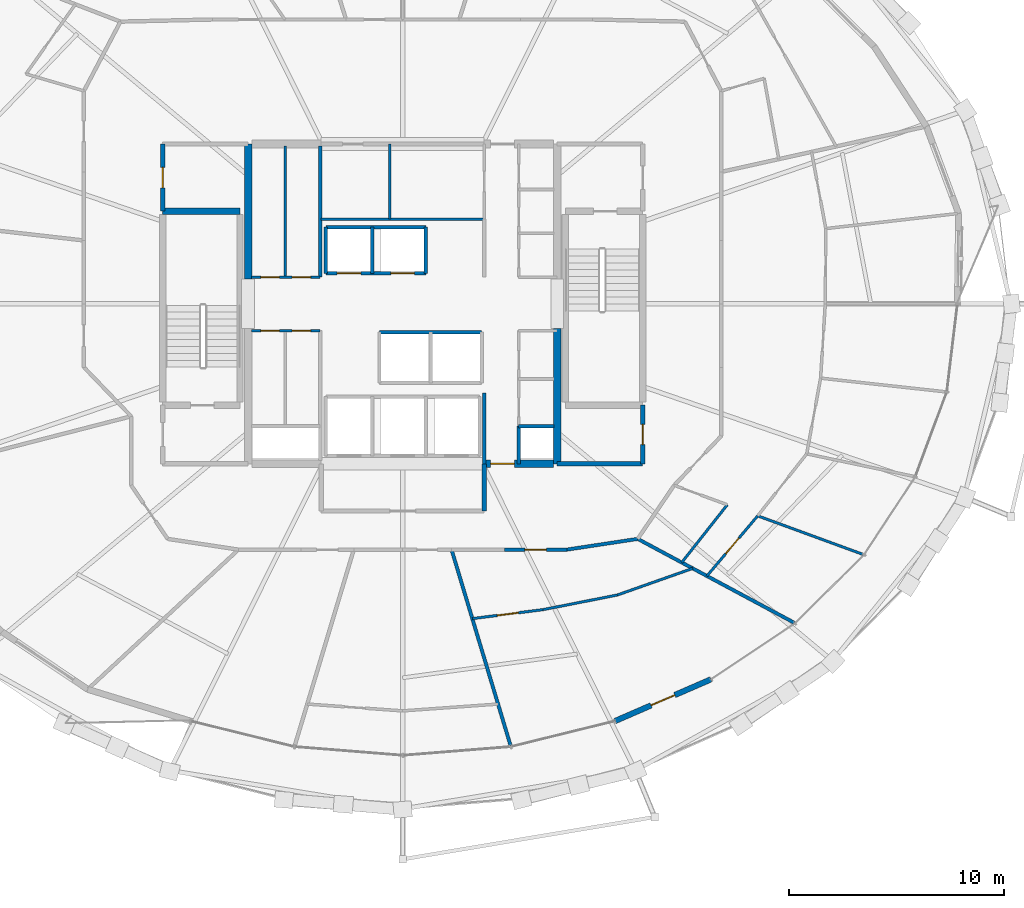
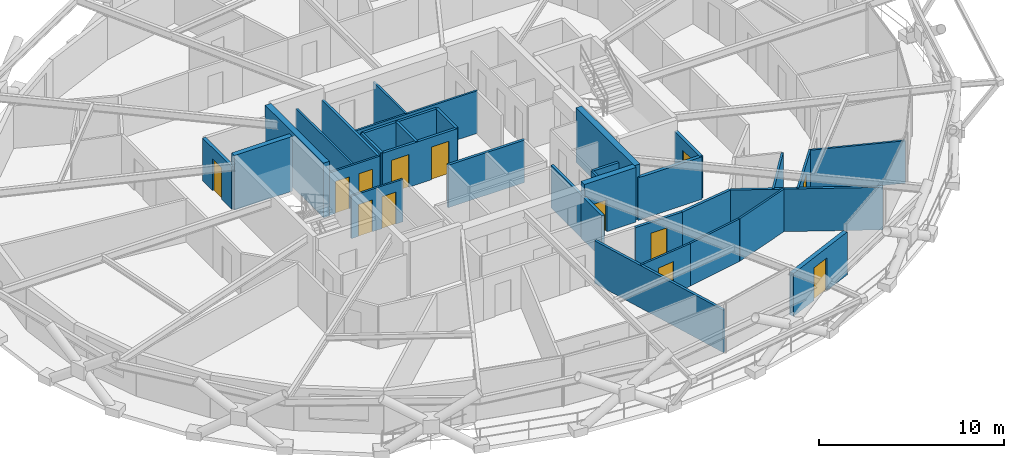
# One storey, part 16 of 22: 34 walls, 13 doors, 13 openings.
"""IFC4 building model written with IfcOpenShell, lengths in metres."""

from ifc_helpers import new_model, si_unit, direction, frame, frame_2d, origin, place, context, subcontext, project, spatial, rectangle, extrude, material, layer, layer_set, type_object, element, fill, save


model = new_model("IFC4")

# Units and contexts
model_context = context("Model", 3, precision=1e-05, world=origin(), true_north=direction((0.0, 1.0)))
body_context = subcontext(model_context, "Body", "Model", "MODEL_VIEW")
ifc_project = project(units=[si_unit("LENGTHUNIT", "METRE"), si_unit("AREAUNIT", "SQUARE_METRE"), si_unit("VOLUMEUNIT", "CUBIC_METRE"), si_unit("PLANEANGLEUNIT", "RADIAN"), si_unit("MASSUNIT", "GRAM", prefix="KILO")], contexts=[model_context])

# Site, building, storey
site_placement = place(None, origin())
site = spatial("IfcSite", under=ifc_project, at=site_placement, CompositionType="ELEMENT")
building_placement = place(site_placement, origin())
building = spatial("IfcBuilding", under=site, at=building_placement, Name="Veldorina Hangang Commons", CompositionType="ELEMENT")
storey_placement = place(building_placement, frame((0.0, 0.0, 146.0)))
storey = spatial("IfcBuildingStorey", under=building, at=storey_placement, Name="L37", CompositionType="ELEMENT", Elevation=146.0)

# Walls
ifc_material_1 = material(Name="Concrete C60/75", Category="concrete")
ifc_layer_1 = layer(ifc_material_1, 0.360107421875)
ifc_layer_set_1 = layer_set([ifc_layer_1], Name="Concrete C60/75")
wall_type_1 = type_object("IfcWallType", Name="CW-RC360-C60", PredefinedType="SHEAR", material=ifc_layer_set_1)
for number, where, z_axis, x_axis, name in (
    (1, (24.800048828125, 25.14990234375, 0.0), (0.0, 0.0, 1.0), (0.0, 1.0, 0.0), "L37 W north core shear wall"),
    (2, (39.199951171875, 16.550048828125, 0.0), (0.0, 0.0, 1.0), (0.0, 1.0, 0.0), "L37 E south core shear wall"),
):
    element("IfcWall", number, at=place(storey_placement, frame(where, z_axis=z_axis, x_axis=x_axis)), inside=storey, type_object=wall_type_1, Name=name, PredefinedType="SHEAR", context=body_context, shape_type="SweptSolid", body=[
        extrude(rectangle(XDim=6.300048828125, YDim=0.360107421875, at=frame_2d((3.14990234375, 0.0))), origin(), (0.0, 0.0, 1.0), 3.60009765625),
    ])

# Wall, opening, door
wall_1_placement = place(storey_placement, frame((35.800048828125, 16.550048828125, 0.0), z_axis=(0.0, 0.0, 1.0), x_axis=(1.0, 0.0, 0.0)))
wall_1 = element("IfcWall", 3, at=wall_1_placement, inside=storey, type_object=wall_type_1, Name="L37 south-east core shear wall", PredefinedType="SHEAR", context=body_context, shape_type="SweptSolid", body=[
    extrude(rectangle(XDim=3.219970703125, YDim=0.360107421875, at=frame_2d((1.60986328125, 0.0))), origin(), (0.0, 0.0, 1.0), 3.60009765625),
])
opening_1_placement = place(wall_1_placement, frame((0.300048828125, 0.0, 0.0)))
opening_1 = element("IfcOpeningElement", 4, at=opening_1_placement, cuts=wall_1, Name="Opening D-08", PredefinedType="OPENING", context=body_context, shape_type="SweptSolid", body=[
    extrude(rectangle(XDim=1.10009765625, YDim=2.10009765625, at=frame_2d((0.550048828125, 1.050048828125))), frame((0.0, 0.18994140625, 0.0), z_axis=(0.0, -1.0, 0.0), x_axis=(1.0, 0.0, 0.0)), (0.0, 0.0, 1.0), 0.380126953125),
])
ifc_material_2 = material(Name="Steel Fire-Rated Smoke Seal", Category="steel")
door_type_1 = type_object("IfcDoorType", Name="DR-FIRE-1100", OperationType="SINGLE_SWING_RIGHT", PredefinedType="DOOR", material=ifc_material_2)
door_1_placement = place(opening_1_placement, origin())
door_1 = element("IfcDoor", 5, at=door_1_placement, inside=storey, type_object=door_type_1, Name="L37 central lift lobby south corridor door", OperationType="SINGLE_SWING_RIGHT", OverallHeight=2.10009765625, OverallWidth=1.10009765625, PredefinedType="DOOR", context=body_context, shape_type="SweptSolid", body=[
    extrude(rectangle(XDim=1.10009765625, YDim=2.10009765625, at=frame_2d((0.550048828125, 1.050048828125))), frame((0.0, 0.02490234375, 0.0), z_axis=(0.0, -1.0, 0.0), x_axis=(1.0, 0.0, 0.0)), (0.0, 0.0, 1.0), 0.050048828125),
])
fill(opening_1, door_1)

ifc_material_3 = material(Name="Stone Roman Travertine", Category="masonry")
ifc_layer_2 = layer(ifc_material_3, 0.260009765625)
ifc_layer_set_2 = layer_set([ifc_layer_2], Name="Stone Roman Travertine")
wall_type_2 = type_object("IfcWallType", Name="EW-LOGGIA-260", PredefinedType="STANDARD", material=ifc_layer_set_2)
wall_2_placement = place(storey_placement, frame((41.892578125, 4.562255859375, 0.0), z_axis=(0.0, 0.0, 1.0), x_axis=(0.916980839608, 0.398931246948, 0.0)))
wall_2 = element("IfcWall", 6, at=wall_2_placement, inside=storey, type_object=wall_type_2, Name="L37 sky-garden loggia portal wall 26", PredefinedType="STANDARD", context=body_context, shape_type="SweptSolid", body=[
    extrude(rectangle(XDim=4.873779296875, YDim=0.260009765625, at=frame_2d((2.43701171875, 0.0))), origin(), (0.0, 0.0, 1.0), 2.820068359375),
])
opening_2_placement = place(wall_2_placement, frame((1.8369140625, 0.0, 0.0)))
opening_2 = element("IfcOpeningElement", 7, at=opening_2_placement, cuts=wall_2, Name="Opening BD-1200", PredefinedType="OPENING", context=body_context, shape_type="SweptSolid", body=[
    extrude(rectangle(XDim=1.199951171875, YDim=2.14990234375, at=frame_2d((0.60009765625, 1.074951171875))), frame((0.0, 0.14013671875, 0.0), z_axis=(0.0, -1.0, 0.0), x_axis=(1.0, 0.0, 0.0)), (0.0, 0.0, 1.0), 0.280029296875),
])
ifc_material_4 = material(Name="Glass Thermal Aluminium Frame", Category="aluminium")
door_type_2 = type_object("IfcDoorType", Name="DR-EXT-LOG1200", OperationType="SINGLE_SWING_LEFT", PredefinedType="DOOR", material=ifc_material_4)
door_2_placement = place(opening_2_placement, origin())
door_2 = element("IfcDoor", 8, at=door_2_placement, inside=storey, type_object=door_type_2, Name="L37 loggia glazed exterior door 26", OperationType="SINGLE_SWING_LEFT", OverallHeight=2.14990234375, OverallWidth=1.199951171875, PredefinedType="DOOR", context=body_context, shape_type="SweptSolid", body=[
    extrude(rectangle(XDim=1.199951171875, YDim=2.14990234375, at=frame_2d((0.60009765625, 1.074951171875))), frame((0.0, 0.02490234375, 0.0), z_axis=(0.0, -1.0, 0.0), x_axis=(1.0, 0.0, 0.0)), (0.0, 0.0, 1.0), 0.050048828125),
])
fill(opening_2, door_2)

# Walls
ifc_material_5 = material(Name="Concrete C50/60", Category="concrete")
ifc_layer_3 = layer(ifc_material_5, 0.300048828125)
ifc_layer_set_3 = layer_set([ifc_layer_3], Name="Concrete C50/60")
wall_type_3 = type_object("IfcWallType", Name="SW-STAIR-300", PredefinedType="SHEAR", material=ifc_layer_set_3)
wall_3_placement = place(storey_placement, frame((20.820068359375, 28.320068359375, 0.0), z_axis=(0.0, 0.0, 1.0), x_axis=(1.0, 0.0, 0.0)))
element("IfcWall", 9, at=wall_3_placement, inside=storey, type_object=wall_type_3, Name="L37 ST1 north stair shear wall", PredefinedType="SHEAR", context=body_context, shape_type="SweptSolid", body=[
    extrude(rectangle(XDim=3.599853515625, YDim=0.300048828125, at=frame_2d((1.7998046875, 0.0))), origin(), (0.0, 0.0, 1.0), 3.60009765625),
])
ifc_material_6 = material(Name="Gypsum Fire-Rated Twin Stud Wall", Category="gypsum")
ifc_layer_4 = layer(ifc_material_6, 0.159912109375)
ifc_layer_set_4 = layer_set([ifc_layer_4], Name="Gypsum Fire-Rated Twin Stud Wall")
wall_type_4 = type_object("IfcWallType", Name="WL-FIRE-160", PredefinedType="SOLIDWALL", material=ifc_layer_set_4)
wall_4_placement = place(storey_placement, frame((35.800048828125, 16.550048828125, 0.0), z_axis=(0.0, 0.0, 1.0), x_axis=(0.0, 1.0, 0.0)))
element("IfcWall", 10, at=wall_4_placement, inside=storey, type_object=wall_type_4, Name="L37 Lift passage SW wall 009", PredefinedType="SOLIDWALL", context=body_context, shape_type="SweptSolid", body=[
    extrude(rectangle(XDim=3.300048828125, YDim=0.159912109375, at=frame_2d((1.64990234375, 0.0))), origin(), (0.0, 0.0, 1.0), 2.800048828125),
])
wall_5_placement = place(storey_placement, frame((37.39990234375, 16.550048828125, 0.0), z_axis=(0.0, 0.0, 1.0), x_axis=(0.0, 1.0, 0.0)))
element("IfcWall", 11, at=wall_5_placement, inside=storey, type_object=wall_type_4, Name="L37 Lift passage SE stub 010", PredefinedType="SOLIDWALL", context=body_context, shape_type="SweptSolid", body=[
    extrude(rectangle(XDim=1.75, YDim=0.159912109375, at=frame_2d((0.875, 0.0))), origin(), (0.0, 0.0, 1.0), 2.800048828125),
])

# Wall, openings, doors
wall_6_placement = place(storey_placement, frame((28.419921875, 25.419921875, 0.0), z_axis=(0.0, 0.0, 1.0), x_axis=(1.0, 0.0, 0.0)))
wall_6 = element("IfcWall", 12, at=wall_6_placement, inside=storey, type_object=wall_type_4, Name="L37 Mid-high front shaft wall 015", PredefinedType="SOLIDWALL", context=body_context, shape_type="SweptSolid", body=[
    extrude(rectangle(XDim=4.66015625, YDim=0.159912109375, at=frame_2d((2.330078125, 0.0))), origin(), (0.0, 0.0, 1.0), 2.800048828125),
])
opening_3_placement = place(wall_6_placement, frame((0.530029296875, 0.0, 0.0)))
opening_3 = element("IfcOpeningElement", 13, at=opening_3_placement, cuts=wall_6, Name="Opening LD-01", PredefinedType="OPENING", context=body_context, shape_type="SweptSolid", body=[
    extrude(rectangle(XDim=1.10009765625, YDim=2.14990234375, at=frame_2d((0.550048828125, 1.074951171875))), frame((0.0, 0.08984375, 0.0), z_axis=(0.0, -1.0, 0.0), x_axis=(1.0, 0.0, 0.0)), (0.0, 0.0, 1.0), 0.179931640625),
])
opening_4_placement = place(wall_6_placement, frame((3.030029296875, 0.0, 0.0)))
opening_4 = element("IfcOpeningElement", 14, at=opening_4_placement, cuts=wall_6, Name="Opening LD-01", PredefinedType="OPENING", context=body_context, shape_type="SweptSolid", body=[
    extrude(rectangle(XDim=1.10009765625, YDim=2.14990234375, at=frame_2d((0.550048828125, 1.074951171875))), frame((0.0, 0.08984375, 0.0), z_axis=(0.0, -1.0, 0.0), x_axis=(1.0, 0.0, 0.0)), (0.0, 0.0, 1.0), 0.179931640625),
])
ifc_material_7 = material(Name="Stainless Steel Brushed Lift Door", Category="steel")
door_type_3 = type_object("IfcDoorType", Name="DR-LIFT-1100", OperationType="SLIDING_TO_LEFT", PredefinedType="DOOR", material=ifc_material_7)
door_3_placement = place(opening_3_placement, origin())
door_3 = element("IfcDoor", 15, at=door_3_placement, inside=storey, type_object=door_type_3, Name="L37 Lift PL-M1 landing door 006", OperationType="SLIDING_TO_RIGHT", OverallHeight=2.14990234375, OverallWidth=1.10009765625, PredefinedType="DOOR", context=body_context, shape_type="SweptSolid", body=[
    extrude(rectangle(XDim=1.10009765625, YDim=2.14990234375, at=frame_2d((0.550048828125, 1.074951171875))), frame((0.0, 0.02490234375, 0.0), z_axis=(0.0, -1.0, 0.0), x_axis=(1.0, 0.0, 0.0)), (0.0, 0.0, 1.0), 0.050048828125),
])
fill(opening_3, door_3)
door_4_placement = place(opening_4_placement, origin())
door_4 = element("IfcDoor", 16, at=door_4_placement, inside=storey, type_object=door_type_3, Name="L37 Lift PL-M2 landing door 007", OperationType="SLIDING_TO_RIGHT", OverallHeight=2.14990234375, OverallWidth=1.10009765625, PredefinedType="DOOR", context=body_context, shape_type="SweptSolid", body=[
    extrude(rectangle(XDim=1.10009765625, YDim=2.14990234375, at=frame_2d((0.550048828125, 1.074951171875))), frame((0.0, 0.02490234375, 0.0), z_axis=(0.0, -1.0, 0.0), x_axis=(1.0, 0.0, 0.0)), (0.0, 0.0, 1.0), 0.050048828125),
])
fill(opening_4, door_4)

# Walls
wall_7_placement = place(storey_placement, frame((28.419921875, 27.580078125, 0.0), z_axis=(0.0, 0.0, 1.0), x_axis=(1.0, 0.0, 0.0)))
element("IfcWall", 17, at=wall_7_placement, inside=storey, type_object=wall_type_4, Name="L37 Mid-high rear shaft wall 016", PredefinedType="SOLIDWALL", context=body_context, shape_type="SweptSolid", body=[
    extrude(rectangle(XDim=4.66015625, YDim=0.159912109375, at=frame_2d((2.330078125, 0.0))), origin(), (0.0, 0.0, 1.0), 2.800048828125),
])
for number, where, z_axis, x_axis, name in (
    (18, (28.419921875, 25.419921875, 0.0), (0.0, 0.0, 1.0), (0.0, 1.0, 0.0), "L37 PL-M1 west shaft wall 017"),
    (19, (30.580078125, 25.419921875, 0.0), (0.0, 0.0, 1.0), (0.0, 1.0, 0.0), "L37 PL-M1 east shaft wall 018"),
    (20, (33.080078125, 25.419921875, 0.0), (0.0, 0.0, 1.0), (0.0, 1.0, 0.0), "L37 PL-M2 east shaft wall 019"),
):
    element("IfcWall", number, at=place(storey_placement, frame(where, z_axis=z_axis, x_axis=x_axis)), inside=storey, type_object=wall_type_4, Name=name, PredefinedType="SOLIDWALL", context=body_context, shape_type="SweptSolid", body=[
        extrude(rectangle(XDim=2.16015625, YDim=0.159912109375, at=frame_2d((1.080078125, 0.0))), origin(), (0.0, 0.0, 1.0), 2.800048828125),
    ])
wall_8_placement = place(storey_placement, frame((30.919921875, 22.679931640625, 0.0), z_axis=(0.0, 0.0, 1.0), x_axis=(1.0, 0.0, 0.0)))
element("IfcWall", 21, at=wall_8_placement, inside=storey, type_object=wall_type_4, Name="L37 Shuttle-high front shaft wall 020", PredefinedType="SOLIDWALL", context=body_context, shape_type="SweptSolid", body=[
    extrude(rectangle(XDim=4.760009765625, YDim=0.159912109375, at=frame_2d((2.3798828125, 0.0))), origin(), (0.0, 0.0, 1.0), 2.800048828125),
])
wall_9_placement = place(storey_placement, frame((37.39990234375, 18.300048828125, 0.0), z_axis=(0.0, 0.0, 1.0), x_axis=(1.0, 0.0, 0.0)))
element("IfcWall", 22, at=wall_9_placement, inside=storey, type_object=wall_type_4, Name="L37 Plumbing riser wall 037", PredefinedType="SOLIDWALL", context=body_context, shape_type="SweptSolid", body=[
    extrude(rectangle(XDim=1.650146484375, YDim=0.159912109375, at=frame_2d((0.8251953125, 0.0))), origin(), (0.0, 0.0, 1.0), 2.800048828125),
])
wall_10_placement = place(storey_placement, frame((28.14990234375, 25.25, 0.0), z_axis=(0.0, 0.0, 1.0), x_axis=(0.0, 1.0, 0.0)))
element("IfcWall", 23, at=wall_10_placement, inside=storey, type_object=wall_type_4, Name="L37 NW core inner wall 038", PredefinedType="SOLIDWALL", context=body_context, shape_type="SweptSolid", body=[
    extrude(rectangle(XDim=6.10009765625, YDim=0.159912109375, at=frame_2d((3.050048828125, 0.0))), origin(), (0.0, 0.0, 1.0), 2.800048828125),
])

# Wall, opening, door
wall_11_placement = place(storey_placement, frame((36.74267578125, 12.550048828125, 0.0), z_axis=(0.0, 0.0, 1.0), x_axis=(1.0, 0.0, 0.0)))
wall_11 = element("IfcWall", 24, at=wall_11_placement, inside=storey, type_object=wall_type_4, Name="L37 U-corridor outer wall 26 076", PredefinedType="SOLIDWALL", context=body_context, shape_type="SweptSolid", body=[
    extrude(rectangle(XDim=2.907958984375, YDim=0.159912109375, at=frame_2d((1.4541015625, 0.0))), origin(), (0.0, 0.0, 1.0), 2.800048828125),
])
opening_5_placement = place(wall_11_placement, frame((0.9541015625, 0.0, 0.0)))
opening_5 = element("IfcOpeningElement", 25, at=opening_5_placement, cuts=wall_11, Name="Opening D-05", PredefinedType="OPENING", context=body_context, shape_type="SweptSolid", body=[
    extrude(rectangle(XDim=1.0, YDim=2.10009765625, at=frame_2d((0.5, 1.050048828125))), frame((0.0, 0.08984375, 0.0), z_axis=(0.0, -1.0, 0.0), x_axis=(1.0, 0.0, 0.0)), (0.0, 0.0, 1.0), 0.179931640625),
])
ifc_material_8 = material(Name="Timber Solid Core Acoustic", Category="wood")
door_type_4 = type_object("IfcDoorType", Name="DR-INT-1000", OperationType="SINGLE_SWING_RIGHT", PredefinedType="DOOR", material=ifc_material_8)
door_5_placement = place(opening_5_placement, origin())
door_5 = element("IfcDoor", 26, at=door_5_placement, inside=storey, type_object=door_type_4, Name="L37 Commons alcove door 022", OperationType="SINGLE_SWING_RIGHT", OverallHeight=2.10009765625, OverallWidth=1.0, PredefinedType="DOOR", context=body_context, shape_type="SweptSolid", body=[
    extrude(rectangle(XDim=1.0, YDim=2.10009765625, at=frame_2d((0.5, 1.050048828125))), frame((0.0, 0.02490234375, 0.0), z_axis=(0.0, -1.0, 0.0), x_axis=(1.0, 0.0, 0.0)), (0.0, 0.0, 1.0), 0.050048828125),
])
fill(opening_5, door_5)

# Walls
wall_12_placement = place(storey_placement, frame((39.650634765625, 12.550048828125, 0.0), z_axis=(0.0, 0.0, 1.0), x_axis=(0.988710906508, 0.149835721217, 0.0)))
element("IfcWall", 27, at=wall_12_placement, inside=storey, type_object=wall_type_4, Name="L37 U-corridor outer wall 27 077", PredefinedType="SOLIDWALL", context=body_context, shape_type="SweptSolid", body=[
    extrude(rectangle(XDim=3.3369140625, YDim=0.159912109375, at=frame_2d((1.66845703125, 0.0))), origin(), (0.0, 0.0, 1.0), 2.800048828125),
])
wall_13_placement = place(storey_placement, frame((34.277587890625, 12.550048828125, 0.0), z_axis=(0.0, 0.0, 1.0), x_axis=(0.28831479655, -0.9575356798, 0.0)))
element("IfcWall", 28, at=wall_13_placement, inside=storey, type_object=wall_type_4, Name="L37 Unit party wall 25 082", PredefinedType="SOLIDWALL", context=body_context, shape_type="SweptSolid", body=[
    extrude(rectangle(XDim=9.54248046875, YDim=0.159912109375, at=frame_2d((4.771240234375, 0.0))), origin(), (0.0, 0.0, 1.0), 2.800048828125),
])
wall_14_placement = place(storey_placement, frame((42.949951171875, 13.050048828125, 0.0), z_axis=(0.0, 0.0, 1.0), x_axis=(0.881439566777, -0.472296824169, 0.0)))
element("IfcWall", 29, at=wall_14_placement, inside=storey, type_object=wall_type_4, Name="L37 Unit party wall 28 086", PredefinedType="SOLIDWALL", context=body_context, shape_type="SweptSolid", body=[
    extrude(rectangle(XDim=8.26513671875, YDim=0.159912109375, at=frame_2d((4.132568359375, 0.0))), origin(), (0.0, 0.0, 1.0), 2.800048828125),
])

# Wall, opening, door
ifc_material_9 = material(Name="Concrete Blockwork Fire Wall C30/37", Category="masonry")
ifc_layer_5 = layer(ifc_material_9, 0.199951171875)
ifc_layer_set_5 = layer_set([ifc_layer_5], Name="Concrete Blockwork Fire Wall C30/37")
wall_type_5 = type_object("IfcWallType", Name="WL-FIRE-200", PredefinedType="SOLIDWALL", material=ifc_layer_set_5)
wall_15_placement = place(storey_placement, frame((20.820068359375, 28.320068359375, 0.0), z_axis=(0.0, 0.0, 1.0), x_axis=(0.0, 1.0, 0.0)))
wall_15 = element("IfcWall", 30, at=wall_15_placement, inside=storey, type_object=wall_type_5, Name="L37 NW core room outer wall 005", PredefinedType="SOLIDWALL", context=body_context, shape_type="SweptSolid", body=[
    extrude(rectangle(XDim=3.1298828125, YDim=0.199951171875, at=frame_2d((1.56494140625, 0.0))), origin(), (0.0, 0.0, 1.0), 2.800048828125),
])
opening_6_placement = place(wall_15_placement, frame((1.090087890625, 0.0, 0.0)))
opening_6 = element("IfcOpeningElement", 31, at=opening_6_placement, cuts=wall_15, Name="Opening D-04", PredefinedType="OPENING", context=body_context, shape_type="SweptSolid", body=[
    extrude(rectangle(XDim=0.949951171875, YDim=2.10009765625, at=frame_2d((0.47509765625, 1.050048828125))), frame((0.0, 0.10986328125, 0.0), z_axis=(0.0, -1.0, 0.0), x_axis=(1.0, 0.0, 0.0)), (0.0, 0.0, 1.0), 0.219970703125),
])
ifc_material_10 = material(Name="Timber Accessible Flush Leaf", Category="wood")
door_type_5 = type_object("IfcDoorType", Name="DR-ACC-950", OperationType="SINGLE_SWING_LEFT", PredefinedType="DOOR", material=ifc_material_10)
door_6_placement = place(opening_6_placement, origin())
door_6 = element("IfcDoor", 32, at=door_6_placement, inside=storey, type_object=door_type_5, Name="L37 NW core WC door 003", OperationType="SINGLE_SWING_LEFT", OverallHeight=2.10009765625, OverallWidth=0.949951171875, PredefinedType="DOOR", context=body_context, shape_type="SweptSolid", body=[
    extrude(rectangle(XDim=0.949951171875, YDim=2.10009765625, at=frame_2d((0.47509765625, 1.050048828125))), frame((0.0, 0.02490234375, 0.0), z_axis=(0.0, -1.0, 0.0), x_axis=(1.0, 0.0, 0.0)), (0.0, 0.0, 1.0), 0.050048828125),
])
fill(opening_6, door_6)

wall_16_placement = place(storey_placement, frame((43.179931640625, 16.550048828125, 0.0), z_axis=(0.0, 0.0, 1.0), x_axis=(0.0, 1.0, 0.0)))
wall_16 = element("IfcWall", 33, at=wall_16_placement, inside=storey, type_object=wall_type_5, Name="L37 SE core room outer wall 007", PredefinedType="SOLIDWALL", context=body_context, shape_type="SweptSolid", body=[
    extrude(rectangle(XDim=2.72998046875, YDim=0.199951171875, at=frame_2d((1.364990234375, 0.0))), origin(), (0.0, 0.0, 1.0), 2.800048828125),
])
opening_7_placement = place(wall_16_placement, frame((0.889892578125, 0.0, 0.0)))
opening_7 = element("IfcOpeningElement", 34, at=opening_7_placement, cuts=wall_16, Name="Opening D-02", PredefinedType="OPENING", context=body_context, shape_type="SweptSolid", body=[
    extrude(rectangle(XDim=0.949951171875, YDim=2.10009765625, at=frame_2d((0.47509765625, 1.050048828125))), frame((0.0, 0.10986328125, 0.0), z_axis=(0.0, -1.0, 0.0), x_axis=(1.0, 0.0, 0.0)), (0.0, 0.0, 1.0), 0.219970703125),
])
door_type_6 = type_object("IfcDoorType", Name="DR-INT-950", OperationType="SINGLE_SWING_LEFT", PredefinedType="DOOR", material=ifc_material_8)
door_7_placement = place(opening_7_placement, origin())
door_7 = element("IfcDoor", 35, at=door_7_placement, inside=storey, type_object=door_type_6, Name="L37 SE core WC door 004", OperationType="SINGLE_SWING_RIGHT", OverallHeight=2.10009765625, OverallWidth=0.949951171875, PredefinedType="DOOR", context=body_context, shape_type="SweptSolid", body=[
    extrude(rectangle(XDim=0.949951171875, YDim=2.10009765625, at=frame_2d((0.47509765625, 1.050048828125))), frame((0.0, 0.02490234375, 0.0), z_axis=(0.0, -1.0, 0.0), x_axis=(1.0, 0.0, 0.0)), (0.0, 0.0, 1.0), 0.050048828125),
])
fill(opening_7, door_7)

# Walls
wall_17_placement = place(storey_placement, frame((39.199951171875, 16.550048828125, 0.0), z_axis=(0.0, 0.0, 1.0), x_axis=(1.0, 0.0, 0.0)))
element("IfcWall", 36, at=wall_17_placement, inside=storey, type_object=wall_type_5, Name="L37 SE core room south wall 008", PredefinedType="SOLIDWALL", context=body_context, shape_type="SweptSolid", body=[
    extrude(rectangle(XDim=3.97998046875, YDim=0.199951171875, at=frame_2d((1.989990234375, 0.0))), origin(), (0.0, 0.0, 1.0), 2.800048828125),
])
wall_18_placement = place(storey_placement, frame((35.800048828125, 14.35009765625, 0.0), z_axis=(0.0, 0.0, 1.0), x_axis=(0.0, 1.0, 0.0)))
element("IfcWall", 37, at=wall_18_placement, inside=storey, type_object=wall_type_5, Name="L37 FF lobby east wall 013", PredefinedType="SOLIDWALL", context=body_context, shape_type="SweptSolid", body=[
    extrude(rectangle(XDim=2.199951171875, YDim=0.199951171875, at=frame_2d((1.10009765625, 0.0))), origin(), (0.0, 0.0, 1.0), 2.800048828125),
])
ifc_material_11 = material(Name="Gypsum Acoustic Stud Partition", Category="gypsum")
ifc_layer_6 = layer(ifc_material_11, 0.1201171875)
ifc_layer_set_6 = layer_set([ifc_layer_6], Name="Gypsum Acoustic Stud Partition")
wall_type_6 = type_object("IfcWallType", Name="WL-PART-120", PredefinedType="PARTITIONING", material=ifc_layer_set_6)
wall_19_placement = place(storey_placement, frame((28.199951171875, 27.949951171875, 0.0), z_axis=(0.0, 0.0, 1.0), x_axis=(1.0, 0.0, 0.0)))
element("IfcWall", 38, at=wall_19_placement, inside=storey, type_object=wall_type_6, Name="L37 Merged north south wall 032", PredefinedType="PARTITIONING", context=body_context, shape_type="SweptSolid", body=[
    extrude(rectangle(XDim=7.60009765625, YDim=0.1201171875, at=frame_2d((3.800048828125, 0.0))), origin(), (0.0, 0.0, 1.0), 2.800048828125),
])
wall_20_placement = place(storey_placement, frame((31.39990234375, 27.949951171875, 0.0), z_axis=(0.0, 0.0, 1.0), x_axis=(0.0, 1.0, 0.0)))
element("IfcWall", 39, at=wall_20_placement, inside=storey, type_object=wall_type_6, Name="L37 Merged north split wall 034", PredefinedType="PARTITIONING", context=body_context, shape_type="SweptSolid", body=[
    extrude(rectangle(XDim=3.5, YDim=0.1201171875, at=frame_2d((1.75, 0.0))), origin(), (0.0, 0.0, 1.0), 2.800048828125),
])

# Wall, openings, doors
wall_21_placement = place(storey_placement, frame((24.949951171875, 25.25, 0.0), z_axis=(0.0, 0.0, 1.0), x_axis=(1.0, 0.0, 0.0)))
wall_21 = element("IfcWall", 40, at=wall_21_placement, inside=storey, type_object=wall_type_6, Name="L37 NW service south wall 039", PredefinedType="PARTITIONING", context=body_context, shape_type="SweptSolid", body=[
    extrude(rectangle(XDim=3.199951171875, YDim=0.1201171875, at=frame_2d((1.60009765625, 0.0))), origin(), (0.0, 0.0, 1.0), 2.800048828125),
])
opening_8_placement = place(wall_21_placement, frame((0.43994140625, 0.0, 0.0)))
opening_8 = element("IfcOpeningElement", 41, at=opening_8_placement, cuts=wall_21, Name="Opening D-01", PredefinedType="OPENING", context=body_context, shape_type="SweptSolid", body=[
    extrude(rectangle(XDim=0.860107421875, YDim=2.10009765625, at=frame_2d((0.43017578125, 1.050048828125))), frame((0.0, 0.070068359375, 0.0), z_axis=(0.0, -1.0, 0.0), x_axis=(1.0, 0.0, 0.0)), (0.0, 0.0, 1.0), 0.14013671875),
])
opening_9_placement = place(wall_21_placement, frame((1.89990234375, 0.0, 0.0)))
opening_9 = element("IfcOpeningElement", 42, at=opening_9_placement, cuts=wall_21, Name="Opening D-01", PredefinedType="OPENING", context=body_context, shape_type="SweptSolid", body=[
    extrude(rectangle(XDim=0.860107421875, YDim=2.10009765625, at=frame_2d((0.43017578125, 1.050048828125))), frame((0.0, 0.070068359375, 0.0), z_axis=(0.0, -1.0, 0.0), x_axis=(1.0, 0.0, 0.0)), (0.0, 0.0, 1.0), 0.14013671875),
])
ifc_material_12 = material(Name="Timber Moisture-Resistant Core", Category="wood")
door_type_7 = type_object("IfcDoorType", Name="DR-WET-860", OperationType="SINGLE_SWING_LEFT", PredefinedType="DOOR", material=ifc_material_12)
door_8_placement = place(opening_8_placement, origin())
door_8 = element("IfcDoor", 43, at=door_8_placement, inside=storey, type_object=door_type_7, Name="L37 Linen west door 013", OperationType="SINGLE_SWING_LEFT", OverallHeight=2.10009765625, OverallWidth=0.860107421875, PredefinedType="DOOR", context=body_context, shape_type="SweptSolid", body=[
    extrude(rectangle(XDim=0.860107421875, YDim=2.10009765625, at=frame_2d((0.43017578125, 1.050048828125))), frame((0.0, 0.02490234375, 0.0), z_axis=(0.0, -1.0, 0.0), x_axis=(1.0, 0.0, 0.0)), (0.0, 0.0, 1.0), 0.050048828125),
])
fill(opening_8, door_8)
door_9_placement = place(opening_9_placement, origin())
door_9 = element("IfcDoor", 44, at=door_9_placement, inside=storey, type_object=door_type_7, Name="L37 Data closet door 014", OperationType="SINGLE_SWING_RIGHT", OverallHeight=2.10009765625, OverallWidth=0.860107421875, PredefinedType="DOOR", context=body_context, shape_type="SweptSolid", body=[
    extrude(rectangle(XDim=0.860107421875, YDim=2.10009765625, at=frame_2d((0.43017578125, 1.050048828125))), frame((0.0, 0.02490234375, 0.0), z_axis=(0.0, -1.0, 0.0), x_axis=(1.0, 0.0, 0.0)), (0.0, 0.0, 1.0), 0.050048828125),
])
fill(opening_9, door_9)

wall_22_placement = place(storey_placement, frame((24.949951171875, 22.75, 0.0), z_axis=(0.0, 0.0, 1.0), x_axis=(1.0, 0.0, 0.0)))
wall_22 = element("IfcWall", 45, at=wall_22_placement, inside=storey, type_object=wall_type_6, Name="L37 SW service north wall 040", PredefinedType="PARTITIONING", context=body_context, shape_type="SweptSolid", body=[
    extrude(rectangle(XDim=3.199951171875, YDim=0.1201171875, at=frame_2d((1.60009765625, 0.0))), origin(), (0.0, 0.0, 1.0), 2.800048828125),
])
opening_10_placement = place(wall_22_placement, frame((0.43994140625, 0.0, 0.0)))
opening_10 = element("IfcOpeningElement", 46, at=opening_10_placement, cuts=wall_22, Name="Opening D-01", PredefinedType="OPENING", context=body_context, shape_type="SweptSolid", body=[
    extrude(rectangle(XDim=0.860107421875, YDim=2.10009765625, at=frame_2d((0.43017578125, 1.050048828125))), frame((0.0, 0.070068359375, 0.0), z_axis=(0.0, -1.0, 0.0), x_axis=(1.0, 0.0, 0.0)), (0.0, 0.0, 1.0), 0.14013671875),
])
opening_11_placement = place(wall_22_placement, frame((1.89990234375, 0.0, 0.0)))
opening_11 = element("IfcOpeningElement", 47, at=opening_11_placement, cuts=wall_22, Name="Opening D-01", PredefinedType="OPENING", context=body_context, shape_type="SweptSolid", body=[
    extrude(rectangle(XDim=0.860107421875, YDim=2.10009765625, at=frame_2d((0.43017578125, 1.050048828125))), frame((0.0, 0.070068359375, 0.0), z_axis=(0.0, -1.0, 0.0), x_axis=(1.0, 0.0, 0.0)), (0.0, 0.0, 1.0), 0.14013671875),
])
door_10_placement = place(opening_10_placement, origin())
door_10 = element("IfcDoor", 48, at=door_10_placement, inside=storey, type_object=door_type_7, Name="L37 Cleaners door 015", OperationType="SINGLE_SWING_LEFT", OverallHeight=2.10009765625, OverallWidth=0.860107421875, PredefinedType="DOOR", context=body_context, shape_type="SweptSolid", body=[
    extrude(rectangle(XDim=0.860107421875, YDim=2.10009765625, at=frame_2d((0.43017578125, 1.050048828125))), frame((0.0, 0.02490234375, 0.0), z_axis=(0.0, -1.0, 0.0), x_axis=(1.0, 0.0, 0.0)), (0.0, 0.0, 1.0), 0.050048828125),
])
fill(opening_10, door_10)
door_11_placement = place(opening_11_placement, origin())
door_11 = element("IfcDoor", 49, at=door_11_placement, inside=storey, type_object=door_type_7, Name="L37 Metering door 016", OperationType="SINGLE_SWING_RIGHT", OverallHeight=2.10009765625, OverallWidth=0.860107421875, PredefinedType="DOOR", context=body_context, shape_type="SweptSolid", body=[
    extrude(rectangle(XDim=0.860107421875, YDim=2.10009765625, at=frame_2d((0.43017578125, 1.050048828125))), frame((0.0, 0.02490234375, 0.0), z_axis=(0.0, -1.0, 0.0), x_axis=(1.0, 0.0, 0.0)), (0.0, 0.0, 1.0), 0.050048828125),
])
fill(opening_11, door_11)

# Wall
wall_23_placement = place(storey_placement, frame((26.530029296875, 25.25, 0.0), z_axis=(0.0, 0.0, 1.0), x_axis=(0.0, 1.0, 0.0)))
element("IfcWall", 50, at=wall_23_placement, inside=storey, type_object=wall_type_6, Name="L37 NW vertical split 045", PredefinedType="PARTITIONING", context=body_context, shape_type="SweptSolid", body=[
    extrude(rectangle(XDim=6.10009765625, YDim=0.1201171875, at=frame_2d((3.050048828125, 0.0))), origin(), (0.0, 0.0, 1.0), 2.800048828125),
])

# Wall, opening, door
wall_24_placement = place(storey_placement, frame((35.24560546875, 9.335205078125, 0.0), z_axis=(0.0, 0.0, 1.0), x_axis=(0.992026301768, 0.126031014438, 0.0)))
wall_24 = element("IfcWall", 51, at=wall_24_placement, inside=storey, type_object=wall_type_6, Name="L37 Lounge alcove split 0 083", PredefinedType="PARTITIONING", context=body_context, shape_type="SweptSolid", body=[
    extrude(rectangle(XDim=3.326171875, YDim=0.1201171875, at=frame_2d((1.6630859375, 0.0))), origin(), (0.0, 0.0, 1.0), 2.800048828125),
])
opening_12_placement = place(wall_24_placement, frame((1.1630859375, 0.0, 0.0)))
opening_12 = element("IfcOpeningElement", 52, at=opening_12_placement, cuts=wall_24, Name="Opening D-05", PredefinedType="OPENING", context=body_context, shape_type="SweptSolid", body=[
    extrude(rectangle(XDim=1.0, YDim=2.10009765625, at=frame_2d((0.5, 1.050048828125))), frame((0.0, 0.070068359375, 0.0), z_axis=(0.0, -1.0, 0.0), x_axis=(1.0, 0.0, 0.0)), (0.0, 0.0, 1.0), 0.14013671875),
])
door_12_placement = place(opening_12_placement, origin())
door_12 = element("IfcDoor", 53, at=door_12_placement, inside=storey, type_object=door_type_4, Name="L37 Commons lounge door 023", OperationType="SINGLE_SWING_LEFT", OverallHeight=2.10009765625, OverallWidth=1.0, PredefinedType="DOOR", context=body_context, shape_type="SweptSolid", body=[
    extrude(rectangle(XDim=1.0, YDim=2.10009765625, at=frame_2d((0.5, 1.050048828125))), frame((0.0, 0.02490234375, 0.0), z_axis=(0.0, -1.0, 0.0), x_axis=(1.0, 0.0, 0.0)), (0.0, 0.0, 1.0), 0.050048828125),
])
fill(opening_12, door_12)

# Walls
wall_25_placement = place(storey_placement, frame((38.545166015625, 9.75439453125, 0.0), z_axis=(0.0, 0.0, 1.0), x_axis=(0.981147276933, 0.193261535148, 0.0)))
element("IfcWall", 54, at=wall_25_placement, inside=storey, type_object=wall_type_6, Name="L37 Lounge alcove split 1 084", PredefinedType="PARTITIONING", context=body_context, shape_type="SweptSolid", body=[
    extrude(rectangle(XDim=3.520751953125, YDim=0.1201171875, at=frame_2d((1.76025390625, 0.0))), origin(), (0.0, 0.0, 1.0), 2.800048828125),
])
wall_26_placement = place(storey_placement, frame((41.99951171875, 10.434814453125, 0.0), z_axis=(0.0, 0.0, 1.0), x_axis=(0.942997587187, 0.332799565145, 0.0)))
element("IfcWall", 55, at=wall_26_placement, inside=storey, type_object=wall_type_6, Name="L37 Lounge alcove split 2 085", PredefinedType="PARTITIONING", context=body_context, shape_type="SweptSolid", body=[
    extrude(rectangle(XDim=3.72802734375, YDim=0.1201171875, at=frame_2d((1.864013671875, 0.0))), origin(), (0.0, 0.0, 1.0), 2.800048828125),
])
wall_27_placement = place(storey_placement, frame((45.002197265625, 11.950439453125, 0.0), z_axis=(0.0, 0.0, 1.0), x_axis=(0.619575015098, 0.784937450162, 0.0)))
element("IfcWall", 56, at=wall_27_placement, inside=storey, type_object=wall_type_6, Name="L37 Cluster 2 bath front wall 087", PredefinedType="PARTITIONING", context=body_context, shape_type="SweptSolid", body=[
    extrude(rectangle(XDim=3.42822265625, YDim=0.1201171875, at=frame_2d((1.714111328125, 0.0))), origin(), (0.0, 0.0, 1.0), 2.800048828125),
])

# Wall, opening, door
wall_28_placement = place(storey_placement, frame((46.1748046875, 11.322021484375, 0.0), z_axis=(0.0, 0.0, 1.0), x_axis=(0.645297395585, 0.763931457169, 0.0)))
wall_28 = element("IfcWall", 57, at=wall_28_placement, inside=storey, type_object=wall_type_6, Name="L37 Cluster 2 bed 1 front wall 089", PredefinedType="PARTITIONING", context=body_context, shape_type="SweptSolid", body=[
    extrude(rectangle(XDim=3.667236328125, YDim=0.1201171875, at=frame_2d((1.83349609375, 0.0))), origin(), (0.0, 0.0, 1.0), 2.800048828125),
])
opening_13_placement = place(wall_28_placement, frame((1.358642578125, 0.0, 0.0)))
opening_13 = element("IfcOpeningElement", 58, at=opening_13_placement, cuts=wall_28, Name="Opening D-02", PredefinedType="OPENING", context=body_context, shape_type="SweptSolid", body=[
    extrude(rectangle(XDim=0.949951171875, YDim=2.10009765625, at=frame_2d((0.47509765625, 1.050048828125))), frame((0.0, 0.070068359375, 0.0), z_axis=(0.0, -1.0, 0.0), x_axis=(1.0, 0.0, 0.0)), (0.0, 0.0, 1.0), 0.14013671875),
])
door_13_placement = place(opening_13_placement, origin())
door_13 = element("IfcDoor", 59, at=door_13_placement, inside=storey, type_object=door_type_6, Name="L37 Cluster 2 bed 1 door 026", OperationType="SINGLE_SWING_RIGHT", OverallHeight=2.10009765625, OverallWidth=0.949951171875, PredefinedType="DOOR", context=body_context, shape_type="SweptSolid", body=[
    extrude(rectangle(XDim=0.949951171875, YDim=2.10009765625, at=frame_2d((0.47509765625, 1.050048828125))), frame((0.0, 0.02490234375, 0.0), z_axis=(0.0, -1.0, 0.0), x_axis=(1.0, 0.0, 0.0)), (0.0, 0.0, 1.0), 0.050048828125),
])
fill(opening_13, door_13)

# Wall
wall_29_placement = place(storey_placement, frame((48.541259765625, 14.12353515625, 0.0), z_axis=(0.0, 0.0, 1.0), x_axis=(0.939099678482, -0.343644865924, 0.0)))
element("IfcWall", 60, at=wall_29_placement, inside=storey, type_object=wall_type_6, Name="L37 Cluster 2 bed divider 1 091", PredefinedType="PARTITIONING", context=body_context, shape_type="SweptSolid", body=[
    extrude(rectangle(XDim=5.223876953125, YDim=0.1201171875, at=frame_2d((2.61181640625, 0.0))), origin(), (0.0, 0.0, 1.0), 2.800048828125),
])

save(model, "model.ifc")
